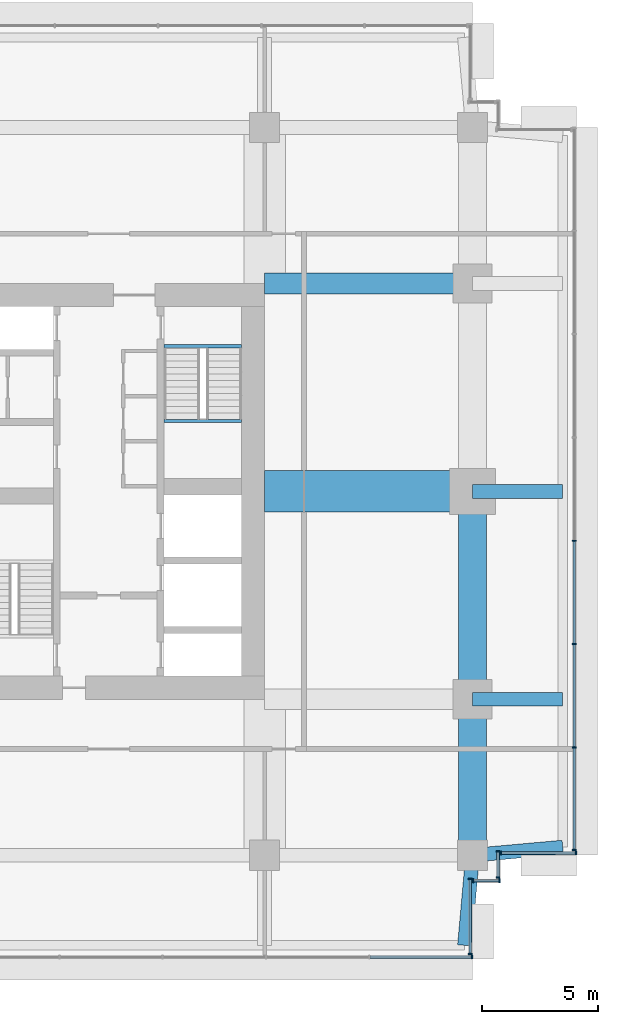
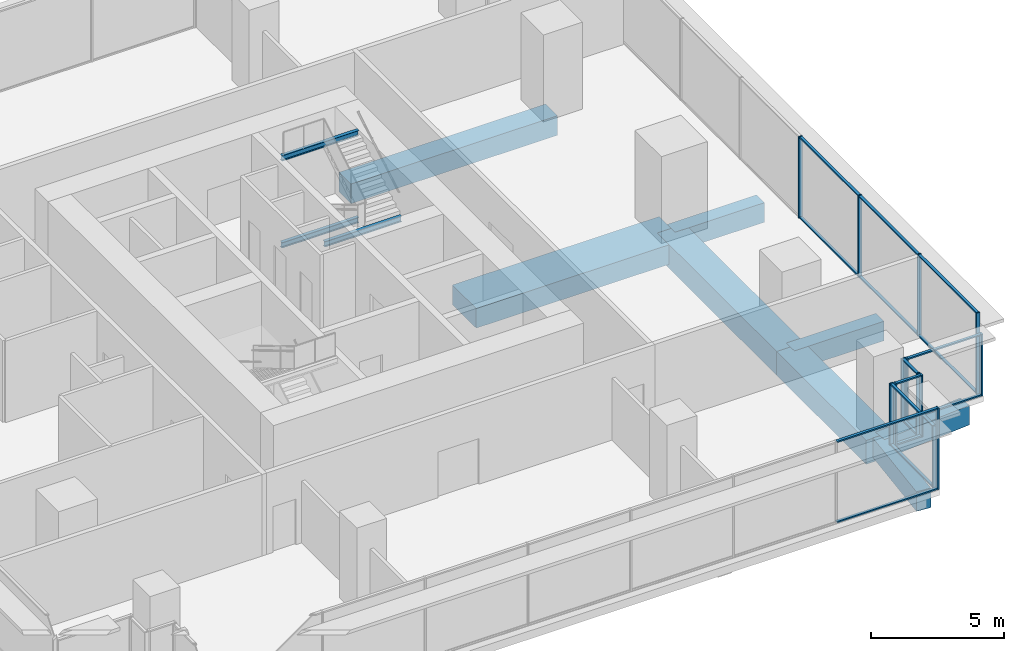
# One storey, part 5 of 13: 29 members, 11 beams, 6 elements without a shape of their own.
"""IFC4 building model written with IfcOpenShell, lengths in metres."""

from ifc_helpers import new_model, si_unit, direction, frame, origin, origin_2d, place, context, subcontext, project, spatial, rectangle, i_section, extrude, material, layer, layer_set, material_profile, profile_set, type_object, element, aggregate, save


model = new_model("IFC4")

# Units and contexts
model_context = context("Model", 3, precision=1e-05, world=origin(), true_north=direction((0.0, 1.0)))
body_context = subcontext(model_context, "Body", "Model", "MODEL_VIEW")
ifc_project = project(units=[si_unit("LENGTHUNIT", "METRE"), si_unit("AREAUNIT", "SQUARE_METRE"), si_unit("VOLUMEUNIT", "CUBIC_METRE"), si_unit("PLANEANGLEUNIT", "RADIAN"), si_unit("MASSUNIT", "GRAM", prefix="KILO")], contexts=[model_context])

# Site, building, storey
site_placement = place(None, origin())
site = spatial("IfcSite", under=ifc_project, at=site_placement, CompositionType="ELEMENT")
building_placement = place(site_placement, origin())
building = spatial("IfcBuilding", under=site, at=building_placement, Name="Namib Vertical Campus", CompositionType="ELEMENT")
storey_placement = place(building_placement, frame((0.0, 0.0, 293.0)))
storey = spatial("IfcBuildingStorey", under=building, at=storey_placement, Name="L69", CompositionType="ELEMENT", Elevation=293.0)

# Beams
ifc_material_1 = material(Name="Concrete C40/50", Category="concrete")
ifc_material_profile_1 = material_profile(ifc_material_1, rectangle(XDim=0.60009765625, YDim=0.89990234375, at=origin_2d()))
ifc_profile_set_1 = profile_set([ifc_material_profile_1], Name="Concrete C40/50")
beam_type_1 = type_object("IfcBeamType", Name="Cantilever girder RC 600x900", PredefinedType="BEAM", material=ifc_profile_set_1)
for number, where, z_axis, x_axis, name in (
    (1, (36.0, 4.5, -0.699951171875), (-0.089411326146, -0.995994786511, 0.0), (0.995994786511, -0.089411326146, 0.0), "Beam B3 L69"),
    (2, (36.0, 4.5, -0.699951171875), (0.995994786511, 0.089411326146, 0.0), (-0.089411326146, 0.995994786511, 0.0), "Beam B3 L69"),
):
    element("IfcBeam", number, at=place(storey_placement, frame(where, z_axis=z_axis, x_axis=x_axis)), inside=storey, type_object=beam_type_1, Name=name, PredefinedType="BEAM", context=body_context, shape_type="SweptSolid", body=[
        extrude(rectangle(XDim=0.60009765625, YDim=0.89990234375, at=origin_2d()), origin(), (0.0, 0.0, 1.0), 3.91552734375),
    ])
for number, where, z_axis, x_axis, name in (
    (3, (36.0, 11.25, -0.699951171875), (1.0, 0.0, 0.0), (0.0, 1.0, 0.0), "Beam B3 L69"),
    (4, (36.0, 20.25, -0.699951171875), (1.0, 0.0, 0.0), (0.0, 1.0, 0.0), "Beam B3 L69"),
):
    element("IfcBeam", number, at=place(storey_placement, frame(where, z_axis=z_axis, x_axis=x_axis)), inside=storey, type_object=beam_type_1, Name=name, PredefinedType="BEAM", context=body_context, shape_type="SweptSolid", body=[
        extrude(rectangle(XDim=0.60009765625, YDim=0.89990234375, at=origin_2d()), origin(), (0.0, 0.0, 1.0), 3.89990234375),
    ])

# Curtain wall, member
ifc_material_2 = material(Name="Black aluminium curtain wall", Category="aluminium")
ifc_layer = layer(ifc_material_2, 0.199951171875)
ifc_layer_set = layer_set([ifc_layer], Name="Sky lounge curtain wall CW-SL")
curtain_wall_type = type_object("IfcCurtainWallType", Name="Sky lounge curtain wall CW-SL", PredefinedType="USERDEFINED", material=ifc_layer_set)
curtain_wall_1_placement = place(storey_placement, origin())
curtain_wall_1 = element("IfcCurtainWall", 5, at=curtain_wall_1_placement, inside=storey, type_object=curtain_wall_type, Name="Curtain wall CW-SL L69 F01-1", ObjectType="CURTAIN WALL", PredefinedType="USERDEFINED")
ifc_material_3 = material(Name="Black anodised aluminium", Category="aluminium")
ifc_material_profile_2 = material_profile(ifc_material_3, rectangle(XDim=0.06005859375, YDim=0.159912109375, at=origin_2d()))
ifc_profile_set_2 = profile_set([ifc_material_profile_2], Name="Black anodised aluminium")
member_type_1 = type_object("IfcMemberType", Name="Curtain wall mullion 60x160", PredefinedType="MULLION", material=ifc_profile_set_2)
member_1_placement = place(storey_placement, frame((35.969970703125, 0.10009765625, 0.0), z_axis=(0.0, 0.0, 1.0), x_axis=(1.0, 0.0, 0.0)))
member_1 = element("IfcMember", 6, at=member_1_placement, type_object=member_type_1, Name="CW-SL mullion 8", PredefinedType="MULLION", context=body_context, shape_type="SweptSolid", body=[
    extrude(rectangle(XDim=0.06005859375, YDim=0.159912109375, at=origin_2d()), origin(), (0.0, 0.0, 1.0), 3.75),
])

# Curtain wall, members
curtain_wall_2_placement = place(storey_placement, origin())
curtain_wall_2 = element("IfcCurtainWall", 7, at=curtain_wall_2_placement, inside=storey, type_object=curtain_wall_type, Name="Curtain wall CW-SL L69 F02-1", ObjectType="CURTAIN WALL", PredefinedType="USERDEFINED")
member_2_placement = place(storey_placement, frame((35.89990234375, 0.22998046875, 0.0), z_axis=(0.0, 0.0, 1.0), x_axis=(0.0, 1.0, 0.0)))
member_2 = element("IfcMember", 8, at=member_2_placement, type_object=member_type_1, Name="CW-SL mullion 1", PredefinedType="MULLION", context=body_context, shape_type="SweptSolid", body=[
    extrude(rectangle(XDim=0.06005859375, YDim=0.159912109375, at=origin_2d()), origin(), (0.0, 0.0, 1.0), 2.85009765625),
])
member_3_placement = place(storey_placement, frame((35.89990234375, 3.469970703125, 0.0), z_axis=(0.0, 0.0, 1.0), x_axis=(0.0, 1.0, 0.0)))
member_3 = element("IfcMember", 9, at=member_3_placement, type_object=member_type_1, Name="CW-SL mullion 2", PredefinedType="MULLION", context=body_context, shape_type="SweptSolid", body=[
    extrude(rectangle(XDim=0.06005859375, YDim=0.159912109375, at=origin_2d()), origin(), (0.0, 0.0, 1.0), 2.85009765625),
])

curtain_wall_3_placement = place(storey_placement, origin())
curtain_wall_3 = element("IfcCurtainWall", 10, at=curtain_wall_3_placement, inside=storey, type_object=curtain_wall_type, Name="Curtain wall CW-SL L69 F03-1", ObjectType="CURTAIN WALL", PredefinedType="USERDEFINED")
member_4_placement = place(storey_placement, frame((36.030029296875, 3.39990234375, 0.0), z_axis=(0.0, 0.0, 1.0), x_axis=(1.0, 0.0, 0.0)))
member_4 = element("IfcMember", 11, at=member_4_placement, type_object=member_type_1, Name="CW-SL mullion 1", PredefinedType="MULLION", context=body_context, shape_type="SweptSolid", body=[
    extrude(rectangle(XDim=0.06005859375, YDim=0.159912109375, at=origin_2d()), origin(), (0.0, 0.0, 1.0), 2.85009765625),
])
member_5_placement = place(storey_placement, frame((37.169921875, 3.39990234375, 0.0), z_axis=(0.0, 0.0, 1.0), x_axis=(1.0, 0.0, 0.0)))
member_5 = element("IfcMember", 12, at=member_5_placement, type_object=member_type_1, Name="CW-SL mullion 2", PredefinedType="MULLION", context=body_context, shape_type="SweptSolid", body=[
    extrude(rectangle(XDim=0.06005859375, YDim=0.159912109375, at=origin_2d()), origin(), (0.0, 0.0, 1.0), 2.85009765625),
])

curtain_wall_4_placement = place(storey_placement, origin())
curtain_wall_4 = element("IfcCurtainWall", 13, at=curtain_wall_4_placement, inside=storey, type_object=curtain_wall_type, Name="Curtain wall CW-SL L69 F04-1", ObjectType="CURTAIN WALL", PredefinedType="USERDEFINED")
member_6_placement = place(storey_placement, frame((37.10009765625, 3.530029296875, 0.0), z_axis=(0.0, 0.0, 1.0), x_axis=(0.0, 1.0, 0.0)))
member_6 = element("IfcMember", 14, at=member_6_placement, type_object=member_type_1, Name="CW-SL mullion 1", PredefinedType="MULLION", context=body_context, shape_type="SweptSolid", body=[
    extrude(rectangle(XDim=0.06005859375, YDim=0.159912109375, at=origin_2d()), origin(), (0.0, 0.0, 1.0), 2.85009765625),
])
member_7_placement = place(storey_placement, frame((37.10009765625, 4.669921875, 0.0), z_axis=(0.0, 0.0, 1.0), x_axis=(0.0, 1.0, 0.0)))
member_7 = element("IfcMember", 15, at=member_7_placement, type_object=member_type_1, Name="CW-SL mullion 2", PredefinedType="MULLION", context=body_context, shape_type="SweptSolid", body=[
    extrude(rectangle(XDim=0.06005859375, YDim=0.159912109375, at=origin_2d()), origin(), (0.0, 0.0, 1.0), 2.85009765625),
])

curtain_wall_5_placement = place(storey_placement, origin())
curtain_wall_5 = element("IfcCurtainWall", 16, at=curtain_wall_5_placement, inside=storey, type_object=curtain_wall_type, Name="Curtain wall CW-SL L69 F05-1", ObjectType="CURTAIN WALL", PredefinedType="USERDEFINED")
member_8_placement = place(storey_placement, frame((37.22998046875, 4.60009765625, 0.0), z_axis=(0.0, 0.0, 1.0), x_axis=(1.0, 0.0, 0.0)))
member_8 = element("IfcMember", 17, at=member_8_placement, type_object=member_type_1, Name="CW-SL mullion 1", PredefinedType="MULLION", context=body_context, shape_type="SweptSolid", body=[
    extrude(rectangle(XDim=0.06005859375, YDim=0.159912109375, at=origin_2d()), origin(), (0.0, 0.0, 1.0), 2.85009765625),
])
member_9_placement = place(storey_placement, frame((40.469970703125, 4.60009765625, 0.0), z_axis=(0.0, 0.0, 1.0), x_axis=(1.0, 0.0, 0.0)))
member_9 = element("IfcMember", 18, at=member_9_placement, type_object=member_type_1, Name="CW-SL mullion 2", PredefinedType="MULLION", context=body_context, shape_type="SweptSolid", body=[
    extrude(rectangle(XDim=0.06005859375, YDim=0.159912109375, at=origin_2d()), origin(), (0.0, 0.0, 1.0), 2.85009765625),
])

curtain_wall_6_placement = place(storey_placement, origin())
curtain_wall_6 = element("IfcCurtainWall", 19, at=curtain_wall_6_placement, inside=storey, type_object=curtain_wall_type, Name="Curtain wall CW-SL L69 F06-1", ObjectType="CURTAIN WALL", PredefinedType="USERDEFINED")
member_10_placement = place(storey_placement, frame((40.39990234375, 4.72998046875, 0.0), z_axis=(0.0, 0.0, 1.0), x_axis=(0.0, 1.0, 0.0)))
member_10 = element("IfcMember", 20, at=member_10_placement, type_object=member_type_1, Name="CW-SL mullion 1", PredefinedType="MULLION", context=body_context, shape_type="SweptSolid", body=[
    extrude(rectangle(XDim=0.06005859375, YDim=0.159912109375, at=origin_2d()), origin(), (0.0, 0.0, 1.0), 3.75),
])
member_11_placement = place(storey_placement, frame((40.39990234375, 9.17138671875, 0.0), z_axis=(0.0, 0.0, 1.0), x_axis=(0.0, 1.0, 0.0)))
member_11 = element("IfcMember", 21, at=member_11_placement, type_object=member_type_1, Name="CW-SL mullion 2", PredefinedType="MULLION", context=body_context, shape_type="SweptSolid", body=[
    extrude(rectangle(XDim=0.06005859375, YDim=0.159912109375, at=origin_2d()), origin(), (0.0, 0.0, 1.0), 3.75),
])
member_12_placement = place(storey_placement, frame((40.39990234375, 13.642822265625, 0.0), z_axis=(0.0, 0.0, 1.0), x_axis=(0.0, 1.0, 0.0)))
member_12 = element("IfcMember", 22, at=member_12_placement, type_object=member_type_1, Name="CW-SL mullion 3", PredefinedType="MULLION", context=body_context, shape_type="SweptSolid", body=[
    extrude(rectangle(XDim=0.06005859375, YDim=0.159912109375, at=origin_2d()), origin(), (0.0, 0.0, 1.0), 3.75),
])
member_13_placement = place(storey_placement, frame((40.39990234375, 18.1142578125, 0.0), z_axis=(0.0, 0.0, 1.0), x_axis=(0.0, 1.0, 0.0)))
member_13 = element("IfcMember", 23, at=member_13_placement, type_object=member_type_1, Name="CW-SL mullion 4", PredefinedType="MULLION", context=body_context, shape_type="SweptSolid", body=[
    extrude(rectangle(XDim=0.06005859375, YDim=0.159912109375, at=origin_2d()), origin(), (0.0, 0.0, 1.0), 3.75),
])

# Member
ifc_material_4 = material(Name="Black anodised aluminium", Category="aluminium")
ifc_material_profile_3 = material_profile(ifc_material_4, rectangle(XDim=0.06005859375, YDim=0.1201171875, at=origin_2d()))
ifc_profile_set_3 = profile_set([ifc_material_profile_3], Name="Black anodised aluminium")
member_type_2 = type_object("IfcMemberType", Name="Curtain wall transom 60x120", PredefinedType="USERDEFINED", material=ifc_profile_set_3)
member_14_placement = place(storey_placement, frame((31.55859375, 0.10009765625, 0.030029296875), z_axis=(1.0, 0.0, 0.0), x_axis=(0.0, 0.0, 1.0)))
member_14 = element("IfcMember", 24, at=member_14_placement, type_object=member_type_2, Name="CW-SL transom 7.1", ObjectType="TRANSOM", PredefinedType="USERDEFINED", context=body_context, shape_type="SweptSolid", body=[
    extrude(rectangle(XDim=0.06005859375, YDim=0.1201171875, at=origin_2d()), origin(), (0.0, 0.0, 1.0), 4.38134765625),
])

member_15_placement = place(storey_placement, frame((31.55859375, 0.10009765625, 3.719970703125), z_axis=(1.0, 0.0, 0.0), x_axis=(0.0, 0.0, 1.0)))
member_15 = element("IfcMember", 25, at=member_15_placement, type_object=member_type_2, Name="CW-SL transom 7.2", ObjectType="TRANSOM", PredefinedType="USERDEFINED", context=body_context, shape_type="SweptSolid", body=[
    extrude(rectangle(XDim=0.06005859375, YDim=0.1201171875, at=origin_2d()), origin(), (0.0, 0.0, 1.0), 4.38134765625),
])

aggregate(curtain_wall_1, [member_1, member_14, member_15])

member_16_placement = place(storey_placement, frame((35.89990234375, 0.260009765625, 0.030029296875), z_axis=(0.0, 1.0, 0.0), x_axis=(0.0, 0.0, 1.0)))
member_16 = element("IfcMember", 26, at=member_16_placement, type_object=member_type_2, Name="CW-SL transom 1.1", ObjectType="TRANSOM", PredefinedType="USERDEFINED", context=body_context, shape_type="SweptSolid", body=[
    extrude(rectangle(XDim=0.06005859375, YDim=0.1201171875, at=origin_2d()), origin(), (0.0, 0.0, 1.0), 3.179931640625),
])

member_17_placement = place(storey_placement, frame((35.89990234375, 0.260009765625, 2.820068359375), z_axis=(0.0, 1.0, 0.0), x_axis=(0.0, 0.0, 1.0)))
member_17 = element("IfcMember", 27, at=member_17_placement, type_object=member_type_2, Name="CW-SL transom 1.2", ObjectType="TRANSOM", PredefinedType="USERDEFINED", context=body_context, shape_type="SweptSolid", body=[
    extrude(rectangle(XDim=0.06005859375, YDim=0.1201171875, at=origin_2d()), origin(), (0.0, 0.0, 1.0), 3.179931640625),
])

aggregate(curtain_wall_2, [member_2, member_3, member_16, member_17])

member_18_placement = place(storey_placement, frame((36.06005859375, 3.39990234375, 0.030029296875), z_axis=(1.0, 0.0, 0.0), x_axis=(0.0, 0.0, 1.0)))
member_18 = element("IfcMember", 28, at=member_18_placement, type_object=member_type_2, Name="CW-SL transom 1.1", ObjectType="TRANSOM", PredefinedType="USERDEFINED", context=body_context, shape_type="SweptSolid", body=[
    extrude(rectangle(XDim=0.06005859375, YDim=0.1201171875, at=origin_2d()), origin(), (0.0, 0.0, 1.0), 1.079833984375),
])

member_19_placement = place(storey_placement, frame((36.06005859375, 3.39990234375, 2.820068359375), z_axis=(1.0, 0.0, 0.0), x_axis=(0.0, 0.0, 1.0)))
member_19 = element("IfcMember", 29, at=member_19_placement, type_object=member_type_2, Name="CW-SL transom 1.2", ObjectType="TRANSOM", PredefinedType="USERDEFINED", context=body_context, shape_type="SweptSolid", body=[
    extrude(rectangle(XDim=0.06005859375, YDim=0.1201171875, at=origin_2d()), origin(), (0.0, 0.0, 1.0), 1.079833984375),
])

aggregate(curtain_wall_3, [member_4, member_5, member_18, member_19])

member_20_placement = place(storey_placement, frame((37.10009765625, 3.56005859375, 0.030029296875), z_axis=(0.0, 1.0, 0.0), x_axis=(0.0, 0.0, 1.0)))
member_20 = element("IfcMember", 30, at=member_20_placement, type_object=member_type_2, Name="CW-SL transom 1.1", ObjectType="TRANSOM", PredefinedType="USERDEFINED", context=body_context, shape_type="SweptSolid", body=[
    extrude(rectangle(XDim=0.06005859375, YDim=0.1201171875, at=origin_2d()), origin(), (0.0, 0.0, 1.0), 1.079833984375),
])

member_21_placement = place(storey_placement, frame((37.10009765625, 3.56005859375, 2.820068359375), z_axis=(0.0, 1.0, 0.0), x_axis=(0.0, 0.0, 1.0)))
member_21 = element("IfcMember", 31, at=member_21_placement, type_object=member_type_2, Name="CW-SL transom 1.2", ObjectType="TRANSOM", PredefinedType="USERDEFINED", context=body_context, shape_type="SweptSolid", body=[
    extrude(rectangle(XDim=0.06005859375, YDim=0.1201171875, at=origin_2d()), origin(), (0.0, 0.0, 1.0), 1.079833984375),
])

aggregate(curtain_wall_4, [member_6, member_7, member_20, member_21])

member_22_placement = place(storey_placement, frame((37.260009765625, 4.60009765625, 0.030029296875), z_axis=(1.0, 0.0, 0.0), x_axis=(0.0, 0.0, 1.0)))
member_22 = element("IfcMember", 32, at=member_22_placement, type_object=member_type_2, Name="CW-SL transom 1.1", ObjectType="TRANSOM", PredefinedType="USERDEFINED", context=body_context, shape_type="SweptSolid", body=[
    extrude(rectangle(XDim=0.06005859375, YDim=0.1201171875, at=origin_2d()), origin(), (0.0, 0.0, 1.0), 3.179931640625),
])

member_23_placement = place(storey_placement, frame((37.260009765625, 4.60009765625, 2.820068359375), z_axis=(1.0, 0.0, 0.0), x_axis=(0.0, 0.0, 1.0)))
member_23 = element("IfcMember", 33, at=member_23_placement, type_object=member_type_2, Name="CW-SL transom 1.2", ObjectType="TRANSOM", PredefinedType="USERDEFINED", context=body_context, shape_type="SweptSolid", body=[
    extrude(rectangle(XDim=0.06005859375, YDim=0.1201171875, at=origin_2d()), origin(), (0.0, 0.0, 1.0), 3.179931640625),
])

aggregate(curtain_wall_5, [member_8, member_9, member_22, member_23])

member_24_placement = place(storey_placement, frame((40.39990234375, 4.760009765625, 0.030029296875), z_axis=(0.0, 1.0, 0.0), x_axis=(0.0, 0.0, 1.0)))
member_24 = element("IfcMember", 34, at=member_24_placement, type_object=member_type_2, Name="CW-SL transom 1.1", ObjectType="TRANSOM", PredefinedType="USERDEFINED", context=body_context, shape_type="SweptSolid", body=[
    extrude(rectangle(XDim=0.06005859375, YDim=0.1201171875, at=origin_2d()), origin(), (0.0, 0.0, 1.0), 4.38134765625),
])

member_25_placement = place(storey_placement, frame((40.39990234375, 4.760009765625, 3.719970703125), z_axis=(0.0, 1.0, 0.0), x_axis=(0.0, 0.0, 1.0)))
member_25 = element("IfcMember", 35, at=member_25_placement, type_object=member_type_2, Name="CW-SL transom 1.2", ObjectType="TRANSOM", PredefinedType="USERDEFINED", context=body_context, shape_type="SweptSolid", body=[
    extrude(rectangle(XDim=0.06005859375, YDim=0.1201171875, at=origin_2d()), origin(), (0.0, 0.0, 1.0), 4.38134765625),
])

member_26_placement = place(storey_placement, frame((40.39990234375, 9.201416015625, 0.030029296875), z_axis=(0.0, 1.0, 0.0), x_axis=(0.0, 0.0, 1.0)))
member_26 = element("IfcMember", 36, at=member_26_placement, type_object=member_type_2, Name="CW-SL transom 2.1", ObjectType="TRANSOM", PredefinedType="USERDEFINED", context=body_context, shape_type="SweptSolid", body=[
    extrude(rectangle(XDim=0.06005859375, YDim=0.1201171875, at=origin_2d()), origin(), (0.0, 0.0, 1.0), 4.411376953125),
])

member_27_placement = place(storey_placement, frame((40.39990234375, 9.201416015625, 3.719970703125), z_axis=(0.0, 1.0, 0.0), x_axis=(0.0, 0.0, 1.0)))
member_27 = element("IfcMember", 37, at=member_27_placement, type_object=member_type_2, Name="CW-SL transom 2.2", ObjectType="TRANSOM", PredefinedType="USERDEFINED", context=body_context, shape_type="SweptSolid", body=[
    extrude(rectangle(XDim=0.06005859375, YDim=0.1201171875, at=origin_2d()), origin(), (0.0, 0.0, 1.0), 4.411376953125),
])

member_28_placement = place(storey_placement, frame((40.39990234375, 13.6728515625, 0.030029296875), z_axis=(0.0, 1.0, 0.0), x_axis=(0.0, 0.0, 1.0)))
member_28 = element("IfcMember", 38, at=member_28_placement, type_object=member_type_2, Name="CW-SL transom 3.1", ObjectType="TRANSOM", PredefinedType="USERDEFINED", context=body_context, shape_type="SweptSolid", body=[
    extrude(rectangle(XDim=0.06005859375, YDim=0.1201171875, at=origin_2d()), origin(), (0.0, 0.0, 1.0), 4.411376953125),
])

member_29_placement = place(storey_placement, frame((40.39990234375, 13.6728515625, 3.719970703125), z_axis=(0.0, 1.0, 0.0), x_axis=(0.0, 0.0, 1.0)))
member_29 = element("IfcMember", 39, at=member_29_placement, type_object=member_type_2, Name="CW-SL transom 3.2", ObjectType="TRANSOM", PredefinedType="USERDEFINED", context=body_context, shape_type="SweptSolid", body=[
    extrude(rectangle(XDim=0.06005859375, YDim=0.1201171875, at=origin_2d()), origin(), (0.0, 0.0, 1.0), 4.411376953125),
])

aggregate(curtain_wall_6, [member_10, member_11, member_12, member_13, member_24, member_25, member_26, member_27, member_28, member_29])

# Beams
ifc_material_5 = material(Name="Concrete C40/50", Category="concrete")
ifc_material_profile_4 = material_profile(ifc_material_5, rectangle(XDim=0.89990234375, YDim=0.89990234375, at=origin_2d()))
ifc_profile_set_4 = profile_set([ifc_material_profile_4], Name="Concrete C40/50")
beam_type_2 = type_object("IfcBeamType", Name="Face girder RC 900x900", PredefinedType="BEAM", material=ifc_profile_set_4)
beam_1_placement = place(storey_placement, frame((36.0, 29.25, -0.699951171875), z_axis=(-1.0, 0.0, 0.0), x_axis=(0.0, -1.0, 0.0)))
element("IfcBeam", 40, at=beam_1_placement, inside=storey, type_object=beam_type_2, Name="Beam B10 L69", PredefinedType="BEAM", context=body_context, shape_type="SweptSolid", body=[
    extrude(rectangle(XDim=0.89990234375, YDim=0.89990234375, at=origin_2d()), origin(), (0.0, 0.0, 1.0), 9.0),
])
ifc_material_6 = material(Name="Concrete C40/50", Category="concrete")
ifc_material_profile_5 = material_profile(ifc_material_6, rectangle(XDim=1.199951171875, YDim=1.10009765625, at=origin_2d()))
ifc_profile_set_5 = profile_set([ifc_material_profile_5], Name="Concrete C40/50")
beam_type_3 = type_object("IfcBeamType", Name="Face ring beam RC 1200x1100", PredefinedType="BEAM", material=ifc_profile_set_5)
beam_2_placement = place(storey_placement, frame((36.0, 4.5, -0.800048828125), z_axis=(0.0, 1.0, 0.0), x_axis=(-1.0, 0.0, 0.0)))
element("IfcBeam", 41, at=beam_2_placement, inside=storey, type_object=beam_type_3, Name="Beam B11 L69", PredefinedType="BEAM", context=body_context, shape_type="SweptSolid", body=[
    extrude(rectangle(XDim=1.199951171875, YDim=1.10009765625, at=origin_2d()), origin(), (0.0, 0.0, 1.0), 6.75),
])
beam_3_placement = place(storey_placement, frame((36.0, 11.25, -0.800048828125), z_axis=(0.0, 1.0, 0.0), x_axis=(-1.0, 0.0, 0.0)))
element("IfcBeam", 42, at=beam_3_placement, inside=storey, type_object=beam_type_3, Name="Beam B11 L69", PredefinedType="BEAM", context=body_context, shape_type="SweptSolid", body=[
    extrude(rectangle(XDim=1.199951171875, YDim=1.10009765625, at=origin_2d()), origin(), (0.0, 0.0, 1.0), 9.0),
])
ifc_material_7 = material(Name="Steel S355JR", Category="steel")
ifc_material_profile_6 = material_profile(ifc_material_7, i_section(OverallWidth=0.14599609375, OverallDepth=0.25146484375, WebThickness=0.006103515625, FlangeThickness=0.008544921875, FilletRadius=0.007568359375, at=origin_2d()))
ifc_profile_set_6 = profile_set([ifc_material_profile_6], Name="Steel S355JR")
beam_type_4 = type_object("IfcBeamType", Name="Landing trimmer UB 254x146x31", PredefinedType="BEAM", material=ifc_profile_set_6)
for number, where, z_axis, x_axis, name in (
    (43, (22.64990234375, 26.52294921875, -0.125732421875), (1.0, 0.0, 0.0), (0.0, 1.0, 0.0), "Landing trimmer LT1 A-S2 L69 1"),
    (44, (22.64990234375, 23.296875, 1.874267578125), (1.0, 0.0, 0.0), (0.0, 1.0, 0.0), "Landing trimmer LT1 A-S2 L69 2"),
    (45, (22.64990234375, 26.52294921875, 3.874267578125), (1.0, 0.0, 0.0), (0.0, 1.0, 0.0), "Landing trimmer LT1 A-S2 L69 3"),
):
    element("IfcBeam", number, at=place(storey_placement, frame(where, z_axis=z_axis, x_axis=x_axis)), inside=storey, type_object=beam_type_4, Name=name, PredefinedType="BEAM", context=body_context, shape_type="SweptSolid", body=[
        extrude(i_section(OverallWidth=0.14599609375, OverallDepth=0.25146484375, WebThickness=0.006103515625, FlangeThickness=0.008544921875, FilletRadius=0.007568359375, at=origin_2d()), origin(), (0.0, 0.0, 1.0), 3.35009765625),
    ])
ifc_material_8 = material(Name="Concrete C40/50", Category="concrete")
ifc_material_profile_7 = material_profile(ifc_material_8, rectangle(XDim=1.800048828125, YDim=0.89990234375, at=origin_2d()))
ifc_profile_set_7 = profile_set([ifc_material_profile_7], Name="Concrete C40/50")
beam_type_5 = type_object("IfcBeamType", Name="Outrigger line girder RC 1800x900", PredefinedType="BEAM", material=ifc_profile_set_7)
beam_4_placement = place(storey_placement, frame((36.0, 20.25, -0.699951171875), z_axis=(-1.0, 0.0, 0.0), x_axis=(0.0, -1.0, 0.0)))
element("IfcBeam", 46, at=beam_4_placement, inside=storey, type_object=beam_type_5, Name="Beam B12 L69", PredefinedType="BEAM", context=body_context, shape_type="SweptSolid", body=[
    extrude(rectangle(XDim=1.800048828125, YDim=0.89990234375, at=origin_2d()), origin(), (0.0, 0.0, 1.0), 9.0),
])

save(model, "model.ifc")
